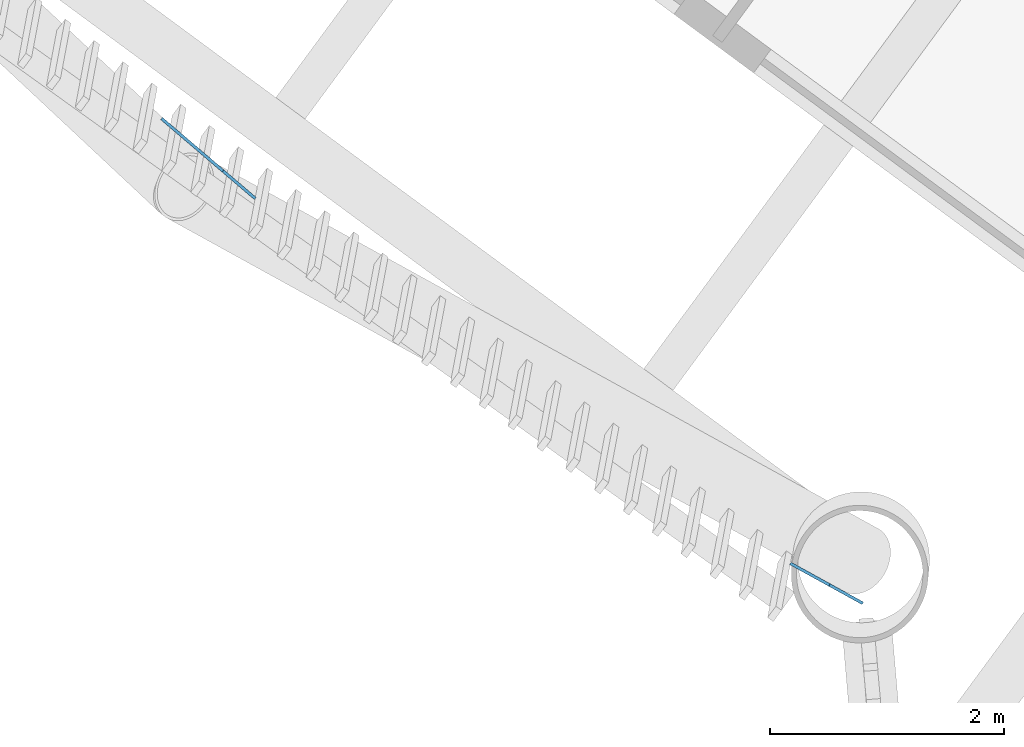
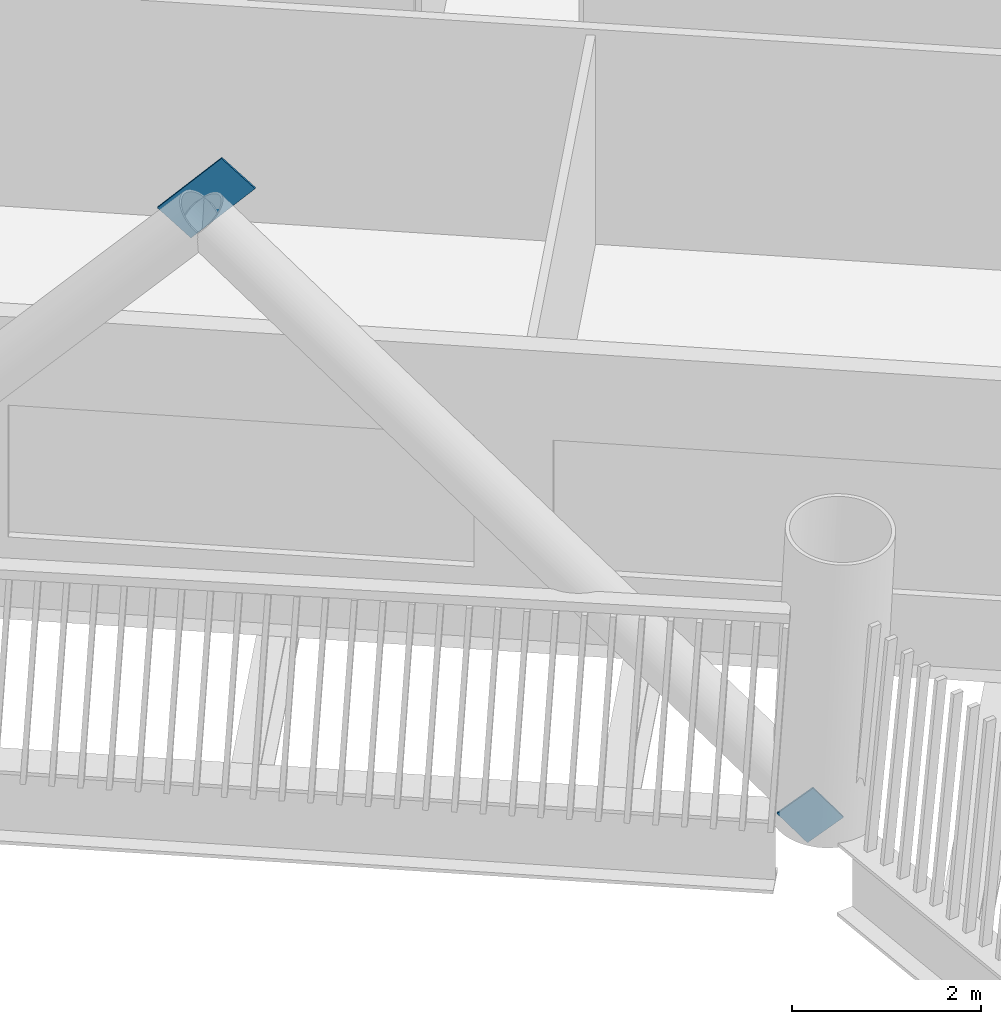
# One storey, part 10 of 23: 2 discrete accessories.
"""IFC4 building model written with IfcOpenShell, lengths in metres."""

from ifc_helpers import new_model, si_unit, direction, frame, origin, origin_2d, place, context, subcontext, project, spatial, rectangle, extrude, material, material_profile, profile_set, type_object, element, save


model = new_model("IFC4")

# Units and contexts
model_context = context("Model", 3, precision=1e-05, world=origin(), true_north=direction((0.0, 1.0)))
body_context = subcontext(model_context, "Body", "Model", "MODEL_VIEW")
ifc_project = project(units=[si_unit("LENGTHUNIT", "METRE"), si_unit("AREAUNIT", "SQUARE_METRE"), si_unit("VOLUMEUNIT", "CUBIC_METRE"), si_unit("PLANEANGLEUNIT", "RADIAN"), si_unit("MASSUNIT", "GRAM", prefix="KILO")], contexts=[model_context])

# Site, building, storey
site_placement = place(None, origin())
site = spatial("IfcSite", under=ifc_project, at=site_placement, CompositionType="ELEMENT")
building_placement = place(site_placement, origin())
building = spatial("IfcBuilding", under=site, at=building_placement, Name="Tarsis Ring Headquarters", CompositionType="ELEMENT")
storey_placement = place(building_placement, frame((0.0, 0.0, 124.0)))
storey = spatial("IfcBuildingStorey", under=building, at=storey_placement, Name="L28", CompositionType="ELEMENT", Elevation=124.0)

# Discrete accessories
ifc_material = material(Name="Structural steel S355", Category="steel")
ifc_material_profile = material_profile(ifc_material, rectangle(XDim=0.02490234375, YDim=0.5, at=origin_2d()), Name="PL 25x500")
ifc_profile_set = profile_set([ifc_material_profile], Name="Structural steel S355")
discrete_accessory_type = type_object("IfcDiscreteAccessoryType", Name="Gusset plate Exo brace 25", PredefinedType="BRACKET", material=ifc_profile_set)
discrete_accessory_1_placement = place(storey_placement, frame((-34.73193359375, 6.56884765625, 7.43798828125), z_axis=(0.524865914276, -0.447478707381, 0.72407083802), x_axis=(0.648777860073, 0.760977850058, 0.0)))
element("IfcDiscreteAccessory", 1, at=discrete_accessory_1_placement, inside=storey, type_object=discrete_accessory_type, Name="Gusset plate GP5", PredefinedType="BRACKET", context=body_context, shape_type="SweptSolid", body=[
    extrude(rectangle(XDim=0.02490234375, YDim=0.5, at=origin_2d()), origin(), (0.0, 0.0, 1.0), 1.0),
])
discrete_accessory_2_placement = place(storey_placement, frame((-29.054443359375, 2.642578125, 0.0), z_axis=(-0.565443168876, 0.311530865063, 0.763690083008), x_axis=(-0.482557389852, -0.875864353367, 0.0)))
element("IfcDiscreteAccessory", 2, at=discrete_accessory_2_placement, inside=storey, type_object=discrete_accessory_type, Name="Gusset plate GP5", PredefinedType="BRACKET", context=body_context, shape_type="SweptSolid", body=[
    extrude(rectangle(XDim=0.02490234375, YDim=0.5, at=origin_2d()), origin(), (0.0, 0.0, 1.0), 0.5),
])

save(model, "model.ifc")
